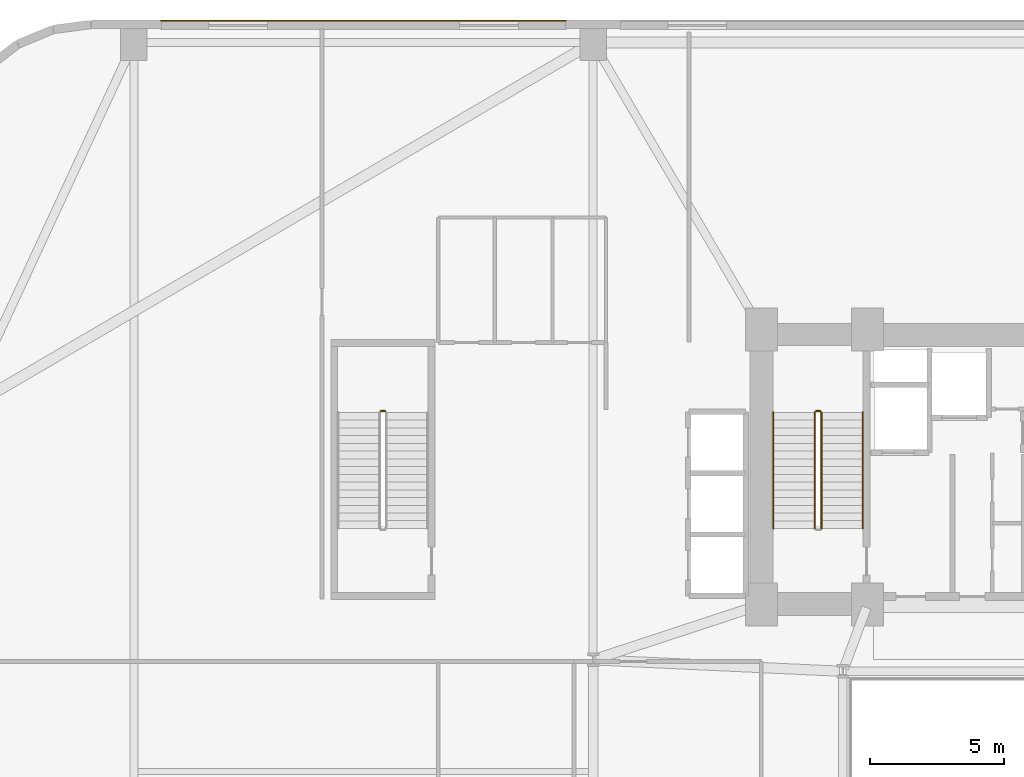
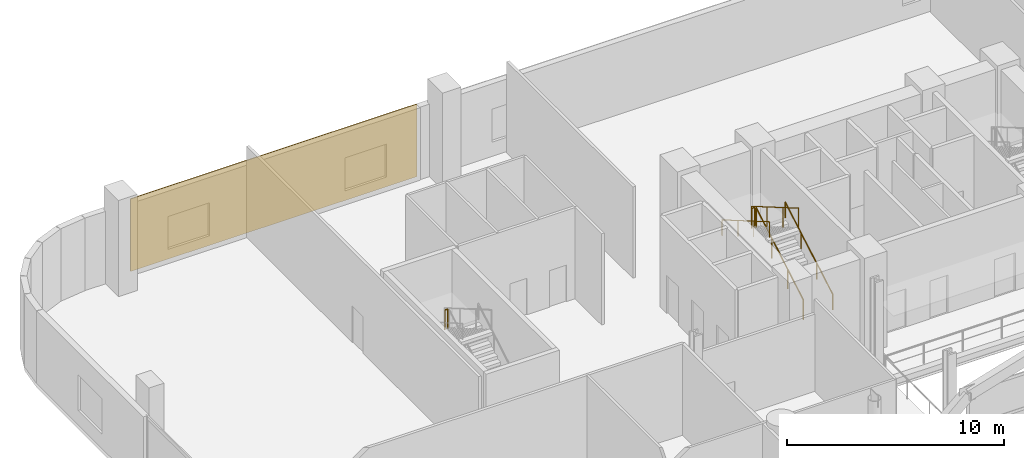
# One storey, part 34 of 36: 6 railings, 1 covering.
"""IFC4 building model written with IfcOpenShell, lengths in metres."""

from ifc_helpers import new_model, si_unit, direction, frame, origin, origin_2d, place, context, subcontext, project, spatial, rectangle, circle, extrude, source, transform, mapped, material, layer, layer_set, type_object, element, save


model = new_model("IFC4")

# Units and contexts
model_context = context("Model", 3, precision=1e-05, world=origin(), true_north=direction((0.0, 1.0)))
body_context = subcontext(model_context, "Body", "Model", "MODEL_VIEW")
ifc_project = project(units=[si_unit("LENGTHUNIT", "METRE"), si_unit("AREAUNIT", "SQUARE_METRE"), si_unit("VOLUMEUNIT", "CUBIC_METRE"), si_unit("PLANEANGLEUNIT", "RADIAN"), si_unit("MASSUNIT", "GRAM", prefix="KILO")], contexts=[model_context])

# Site, building, storey
site_placement = place(None, origin())
site = spatial("IfcSite", under=ifc_project, at=site_placement, CompositionType="ELEMENT")
building_placement = place(site_placement, origin())
building = spatial("IfcBuilding", under=site, at=building_placement, Name="Varnelok Gate Tower", CompositionType="ELEMENT")
storey_placement = place(building_placement, frame((0.0, 0.0, 10.800048828125)))
storey = spatial("IfcBuildingStorey", under=building, at=storey_placement, Name="L02", CompositionType="ELEMENT", Elevation=10.800048828125)

# Railings
ifc_material_1 = material(Name="Brushed Stainless Steel AISI 316", Category="steel")
railing_type_1 = type_object("IfcRailingType", Name="RL-HANDRAIL-900", PredefinedType="HANDRAIL", material=ifc_material_1)
railing_1_placement = place(storey_placement, frame((34.5, 31.60009765625, 0.168701171875)))
element("IfcRailing", 1, at=railing_1_placement, inside=storey, type_object=railing_type_1, Name="L02 ST-1 stair handrail 1", PredefinedType="HANDRAIL", context=body_context, shape_type="SweptSolid", body=[
    extrude(circle(Radius=0.02392578125, at=origin_2d()), frame((0.0, 0.0, 0.8759765625), z_axis=(0.0, 0.864311530196, 0.502956835891), x_axis=(-1.0, 0.0, 0.0)), (0.0, 0.0, 1.0), 5.03271484375),
    extrude(circle(Radius=0.02099609375, at=origin_2d()), origin(), (0.0, 0.0, 1.0), 0.851806640625),
    extrude(circle(Radius=0.02099609375, at=origin_2d()), frame((0.0, 1.449951171875, 0.84375)), (0.0, 0.0, 1.0), 0.851806640625),
    extrude(circle(Radius=0.02099609375, at=origin_2d()), frame((0.0, 2.89990234375, 1.6875)), (0.0, 0.0, 1.0), 0.851806640625),
    extrude(circle(Radius=0.02099609375, at=origin_2d()), frame((0.0, 4.349853515625, 2.53125)), (0.0, 0.0, 1.0), 0.851806640625),
])
railing_2_placement = place(storey_placement, frame((31.14990234375, 35.949951171875, 2.86865234375)))
element("IfcRailing", 2, at=railing_2_placement, inside=storey, type_object=railing_type_1, Name="L02 ST-1 stair handrail 2", PredefinedType="HANDRAIL", context=body_context, shape_type="SweptSolid", body=[
    extrude(circle(Radius=0.02392578125, at=origin_2d()), frame((0.0, 0.0, 0.8759765625), z_axis=(0.0, -0.864311530196, 0.502956835891), x_axis=(1.0, 0.0, 0.0)), (0.0, 0.0, 1.0), 5.03271484375),
    extrude(circle(Radius=0.02099609375, at=origin_2d()), origin(), (0.0, 0.0, 1.0), 0.851806640625),
    extrude(circle(Radius=0.02099609375, at=origin_2d()), frame((0.0, -1.449951171875, 0.84375)), (0.0, 0.0, 1.0), 0.851806640625),
    extrude(circle(Radius=0.02099609375, at=origin_2d()), frame((0.0, -2.89990234375, 1.6875)), (0.0, 0.0, 1.0), 0.851806640625),
    extrude(circle(Radius=0.02099609375, at=origin_2d()), frame((0.0, -4.349853515625, 2.53125)), (0.0, 0.0, 1.0), 0.851806640625),
])
ifc_material_2 = material(Name="Galvanized Steel Grade S350GD", Category="steel")
railing_type_2 = type_object("IfcRailingType", Name="RL-STAIR-GUARD1120", PredefinedType="GUARDRAIL", material=ifc_material_2)
railing_3_placement = place(storey_placement, frame((32.949951171875, 31.60009765625, 0.168701171875)))
element("IfcRailing", 3, at=railing_3_placement, inside=storey, type_object=railing_type_2, Name="L02 ST-1 stair guard 1", PredefinedType="GUARDRAIL", context=body_context, shape_type="SweptSolid", body=[
    extrude(circle(Radius=0.02392578125, at=origin_2d()), frame((0.0, 0.0, 1.09619140625), z_axis=(0.0, 0.864311530196, 0.502956835891), x_axis=(-1.0, 0.0, 0.0)), (0.0, 0.0, 1.0), 5.03271484375),
    extrude(circle(Radius=0.02099609375, at=origin_2d()), origin(), (0.0, 0.0, 1.0), 1.072021484375),
    extrude(circle(Radius=0.02099609375, at=origin_2d()), frame((0.0, 1.449951171875, 0.84375)), (0.0, 0.0, 1.0), 1.072021484375),
    extrude(circle(Radius=0.02099609375, at=origin_2d()), frame((0.0, 2.89990234375, 1.6875)), (0.0, 0.0, 1.0), 1.072021484375),
    extrude(circle(Radius=0.02099609375, at=origin_2d()), frame((0.0, 4.349853515625, 2.53125)), (0.0, 0.0, 1.0), 1.072021484375),
])
railing_4_placement = place(storey_placement, frame((32.89990234375, 36.0, 2.699951171875)))
element("IfcRailing", 4, at=railing_4_placement, inside=storey, type_object=railing_type_2, Name="L02 ST-1 stair guard 2", PredefinedType="GUARDRAIL", context=body_context, shape_type="SweptSolid", body=[
    extrude(circle(Radius=0.02392578125, at=origin_2d()), frame((0.0, 0.0, 1.09619140625), z_axis=(-1.0, 0.0, 0.0), x_axis=(0.0, -1.0, 0.0)), (0.0, 0.0, 1.0), 0.14990234375),
    extrude(circle(Radius=0.02099609375, at=origin_2d()), origin(), (0.0, 0.0, 1.0), 1.072021484375),
    extrude(circle(Radius=0.02099609375, at=origin_2d()), frame((-0.14990234375, 0.0, 0.0)), (0.0, 0.0, 1.0), 1.072021484375),
])
railing_5_placement = place(storey_placement, frame((32.699951171875, 35.949951171875, 2.86865234375)))
element("IfcRailing", 5, at=railing_5_placement, inside=storey, type_object=railing_type_2, Name="L02 ST-1 stair guard 3", PredefinedType="GUARDRAIL", context=body_context, shape_type="SweptSolid", body=[
    extrude(circle(Radius=0.02392578125, at=origin_2d()), frame((0.0, 0.0, 1.09619140625), z_axis=(0.0, -0.864311530196, 0.502956835891), x_axis=(1.0, 0.0, 0.0)), (0.0, 0.0, 1.0), 5.03271484375),
    extrude(circle(Radius=0.02099609375, at=origin_2d()), origin(), (0.0, 0.0, 1.0), 1.072021484375),
    extrude(circle(Radius=0.02099609375, at=origin_2d()), frame((0.0, -1.449951171875, 0.84375)), (0.0, 0.0, 1.0), 1.072021484375),
    extrude(circle(Radius=0.02099609375, at=origin_2d()), frame((0.0, -2.89990234375, 1.6875)), (0.0, 0.0, 1.0), 1.072021484375),
    extrude(circle(Radius=0.02099609375, at=origin_2d()), frame((0.0, -4.349853515625, 2.53125)), (0.0, 0.0, 1.0), 1.072021484375),
])
railing_6_placement = place(storey_placement, frame((16.60009765625, 36.0, 2.699951171875)))
element("IfcRailing", 6, at=railing_6_placement, inside=storey, type_object=railing_type_2, Name="L02 ST-3 stair guard 2", PredefinedType="GUARDRAIL", context=body_context, shape_type="SweptSolid", body=[
    extrude(circle(Radius=0.02392578125, at=origin_2d()), frame((0.0, 0.0, 1.09619140625), z_axis=(-1.0, 0.0, 0.0), x_axis=(0.0, -1.0, 0.0)), (0.0, 0.0, 1.0), 0.150146484375),
    extrude(circle(Radius=0.02099609375, at=origin_2d()), origin(), (0.0, 0.0, 1.0), 1.072021484375),
    extrude(circle(Radius=0.02099609375, at=origin_2d()), frame((-0.150146484375, 0.0, 0.0)), (0.0, 0.0, 1.0), 1.072021484375),
])

# Covering
ifc_material_3 = material(Name="Glazed Architectural Terracotta Ceramic", Category="masonry")
ifc_layer = layer(ifc_material_3, 0.044921875)
ifc_layer_set = layer_set([ifc_layer], Name="Glazed Architectural Terracotta Ceramic")
covering_type = type_object("IfcCoveringType", Name="COV-TERRA-CLAD", PredefinedType="CLADDING", material=ifc_layer_set)
shared_shape = source(origin(), body_context, "Body", "SweptSolid", [
    extrude(rectangle(XDim=15.199951171875, YDim=0.044921875, at=origin_2d()), origin(), (0.0, 0.0, 1.0), 4.070068359375),
])
covering_placement = place(storey_placement, frame((15.800048828125, 50.6220703125, 0.0), z_axis=(0.0, 0.0, 1.0), x_axis=(1.0, 0.0, 0.0)))
element("IfcCovering", 7, at=covering_placement, inside=storey, type_object=covering_type, Name="L02 Terracotta Podium Rainscreen Cladding N1", PredefinedType="CLADDING", context=body_context, shape_type="MappedRepresentation", body=[
    mapped(shared_shape, transform((0.0, 0.0, 0.0), scale=1.0)),
])

save(model, "model.ifc")
